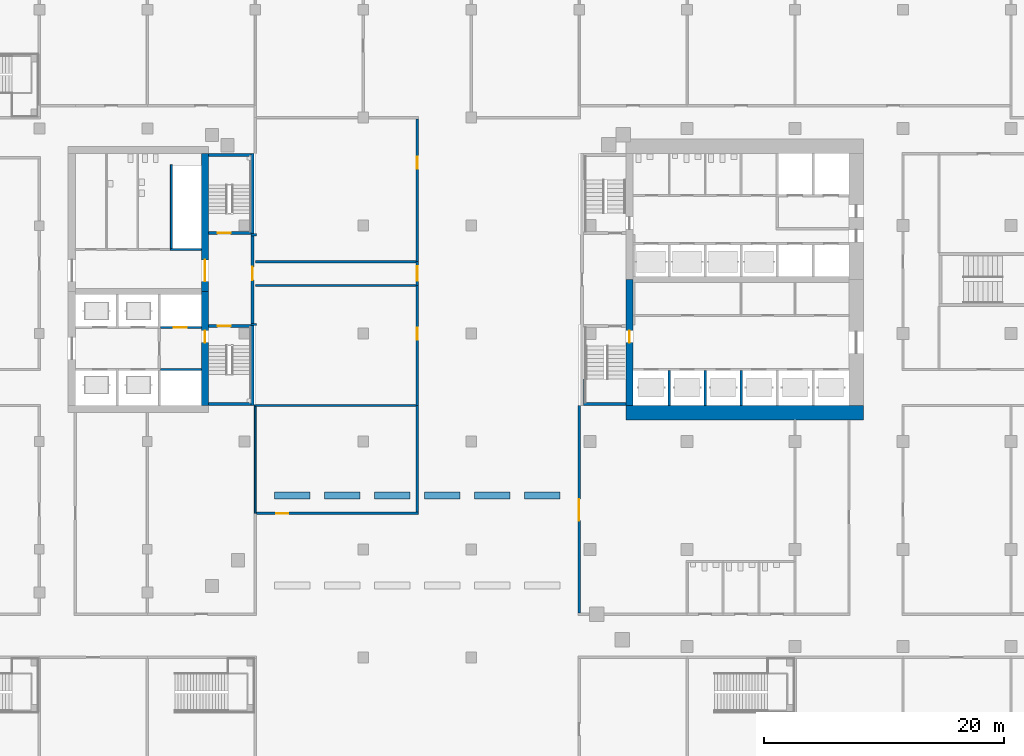
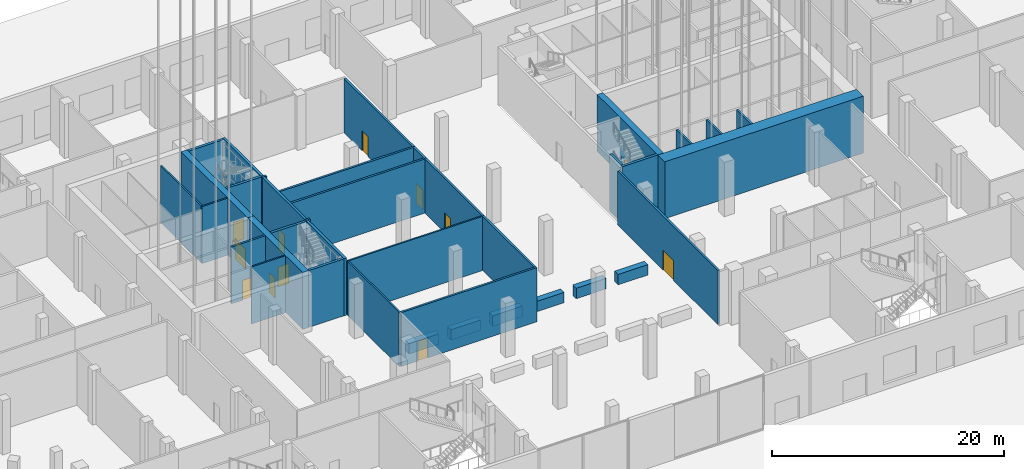
# One storey, part 37 of 55: 38 walls, 12 doors, 12 openings.
"""IFC4 building model written with IfcOpenShell, lengths in metres."""

from ifc_helpers import new_model, si_unit, direction, frame, frame_2d, origin, place, context, subcontext, project, spatial, rectangle, extrude, material, layer, layer_set, type_object, element, fill, save


model = new_model("IFC4")

# Units and contexts
model_context = context("Model", 3, precision=1e-05, world=origin(), true_north=direction((0.0, 1.0)))
body_context = subcontext(model_context, "Body", "Model", "MODEL_VIEW")
ifc_project = project(units=[si_unit("LENGTHUNIT", "METRE"), si_unit("AREAUNIT", "SQUARE_METRE"), si_unit("VOLUMEUNIT", "CUBIC_METRE"), si_unit("PLANEANGLEUNIT", "RADIAN"), si_unit("MASSUNIT", "GRAM", prefix="KILO")], contexts=[model_context])

# Site, building, storey
site_placement = place(None, origin())
site = spatial("IfcSite", under=ifc_project, at=site_placement, CompositionType="ELEMENT")
building_placement = place(site_placement, origin())
building = spatial("IfcBuilding", under=site, at=building_placement, Name="Cinnabar Reach Civic Tower", CompositionType="ELEMENT")
storey_placement = place(building_placement, origin())
storey = spatial("IfcBuildingStorey", under=building, at=storey_placement, Name="L00", CompositionType="ELEMENT", Elevation=0.0)

# Wall
ifc_material_1 = material(Name="Concrete C70", Category="concrete")
ifc_layer_1 = layer(ifc_material_1, 1.2)
ifc_layer_set_1 = layer_set([ifc_layer_1], Name="Core wall 1200 EI 180")
wall_type_1 = type_object("IfcWallType", Name="Core wall 1200 EI 180", PredefinedType="SOLIDWALL", material=ifc_layer_set_1)
wall_1_placement = place(storey_placement, frame((3.9, 20.4, 0.0), z_axis=(0.0, 0.0, 1.0), x_axis=(1.0, 0.0, 0.0)))
element("IfcWall", 1, at=wall_1_placement, inside=storey, type_object=wall_type_1, Name="Core wall T1 L00 S", PredefinedType="SOLIDWALL", context=body_context, shape_type="SweptSolid", body=[
    extrude(rectangle(XDim=19.8, YDim=1.2, at=frame_2d((9.9, 0.0))), origin(), (0.0, 0.0, 1.0), 6.0),
])

# Wall, opening, door
ifc_layer_2 = layer(ifc_material_1, 0.6)
ifc_layer_set_2 = layer_set([ifc_layer_2], Name="Core wall 600 EI 180")
wall_type_2 = type_object("IfcWallType", Name="Core wall 600 EI 180", PredefinedType="SOLIDWALL", material=ifc_layer_set_2)
wall_2_placement = place(storey_placement, frame((4.2, 31.5, 0.0), z_axis=(0.0, 0.0, 1.0), x_axis=(0.0, -1.0, 0.0)))
wall_2 = element("IfcWall", 2, at=wall_2_placement, inside=storey, type_object=wall_type_2, Name="Core wall T1 L00 W2", PredefinedType="SOLIDWALL", context=body_context, shape_type="SweptSolid", body=[
    extrude(rectangle(XDim=10.5, YDim=0.6, at=frame_2d((5.25, 0.0))), origin(), (0.0, 0.0, 1.0), 6.0),
])
opening_1_placement = place(wall_2_placement, frame((4.25, 0.0, 0.0)))
opening_1 = element("IfcOpeningElement", 3, at=opening_1_placement, cuts=wall_2, Name="Opening D3058", PredefinedType="OPENING", context=body_context, shape_type="SweptSolid", body=[
    extrude(rectangle(XDim=1.0, YDim=2.1, at=frame_2d((0.5, 1.05))), frame((0.0, 0.31, 0.0), z_axis=(0.0, -1.0, 0.0), x_axis=(1.0, 0.0, 0.0)), (0.0, 0.0, 1.0), 0.62),
])
ifc_material_2 = material(Name="Timber door leaf in steel frame", Category="steel")
door_type_1 = type_object("IfcDoorType", Name="Stair door 1000 x 2100 T1", OperationType="SINGLE_SWING_LEFT", PredefinedType="DOOR", material=ifc_material_2)
door_1_placement = place(opening_1_placement, frame((1.0, 0.0, 0.0), z_axis=(0.0, 0.0, 1.0), x_axis=(-1.0, 0.0, 0.0)))
door_1 = element("IfcDoor", 4, at=door_1_placement, inside=storey, type_object=door_type_1, Name="Door D3058", OperationType="SINGLE_SWING_RIGHT", OverallHeight=2.1, OverallWidth=1.0, PredefinedType="DOOR", context=body_context, shape_type="SweptSolid", body=[
    extrude(rectangle(XDim=1.0, YDim=2.1, at=frame_2d((0.5, 1.05))), frame((0.0, 0.025, 0.0), z_axis=(0.0, -1.0, 0.0), x_axis=(1.0, 0.0, 0.0)), (0.0, 0.0, 1.0), 0.05),
])
fill(opening_1, door_1)

wall_3_placement = place(storey_placement, frame((-31.2, 21.0, 0.0), z_axis=(0.0, 0.0, 1.0), x_axis=(0.0, 1.0, 0.0)))
wall_3 = element("IfcWall", 5, at=wall_3_placement, inside=storey, type_object=wall_type_2, Name="Core wall T2 L00 E", PredefinedType="SOLIDWALL", context=body_context, shape_type="SweptSolid", body=[
    extrude(rectangle(XDim=9.5, YDim=0.6, at=frame_2d((4.75, 0.0))), origin(), (0.0, 0.0, 1.0), 6.0),
])
opening_2_placement = place(wall_3_placement, frame((5.25, 0.0, 0.0)))
opening_2 = element("IfcOpeningElement", 6, at=opening_2_placement, cuts=wall_3, Name="Opening D6024", PredefinedType="OPENING", context=body_context, shape_type="SweptSolid", body=[
    extrude(rectangle(XDim=1.0, YDim=2.1, at=frame_2d((0.5, 1.05))), frame((0.0, 0.31, 0.0), z_axis=(0.0, -1.0, 0.0), x_axis=(1.0, 0.0, 0.0)), (0.0, 0.0, 1.0), 0.62),
])
ifc_material_3 = material(Name="Steel fire door", Category="steel")
door_type_2 = type_object("IfcDoorType", Name="T2 Firefighting lobby door 1000", OperationType="SINGLE_SWING_LEFT", PredefinedType="DOOR", material=ifc_material_3)
door_2_placement = place(opening_2_placement, frame((1.0, 0.0, 0.0), z_axis=(0.0, 0.0, 1.0), x_axis=(-1.0, 0.0, 0.0)))
door_2 = element("IfcDoor", 7, at=door_2_placement, inside=storey, type_object=door_type_2, Name="T2 Firefighting lobby door D6024", OperationType="SINGLE_SWING_LEFT", OverallHeight=2.1, OverallWidth=1.0, PredefinedType="DOOR", context=body_context, shape_type="SweptSolid", body=[
    extrude(rectangle(XDim=1.0, YDim=2.1, at=frame_2d((0.5, 1.05))), frame((0.0, 0.025, 0.0), z_axis=(0.0, -1.0, 0.0), x_axis=(1.0, 0.0, 0.0)), (0.0, 0.0, 1.0), 0.05),
])
fill(opening_2, door_2)

wall_4_placement = place(storey_placement, frame((-31.2, 30.5, 0.0), z_axis=(0.0, 0.0, 1.0), x_axis=(0.0, 1.0, 0.0)))
wall_4 = element("IfcWall", 8, at=wall_4_placement, inside=storey, type_object=wall_type_2, Name="Core wall T2 L00 E2", PredefinedType="SOLIDWALL", context=body_context, shape_type="SweptSolid", body=[
    extrude(rectangle(XDim=11.5, YDim=0.6, at=frame_2d((5.75, 0.0))), origin(), (0.0, 0.0, 1.0), 6.0),
])
opening_3_placement = place(wall_4_placement, frame((0.85, 0.0, 0.0)))
opening_3 = element("IfcOpeningElement", 9, at=opening_3_placement, cuts=wall_4, Name="Opening D6027", PredefinedType="OPENING", context=body_context, shape_type="SweptSolid", body=[
    extrude(rectangle(XDim=1.8, YDim=2.1, at=frame_2d((0.9, 1.05))), frame((0.0, 0.31, 0.0), z_axis=(0.0, -1.0, 0.0), x_axis=(1.0, 0.0, 0.0)), (0.0, 0.0, 1.0), 0.62),
])
door_type_3 = type_object("IfcDoorType", Name="T2 Double door 1800", OperationType="DOUBLE_DOOR_SINGLE_SWING", PredefinedType="DOOR", material=ifc_material_3)
door_3_placement = place(opening_3_placement, origin())
door_3 = element("IfcDoor", 10, at=door_3_placement, inside=storey, type_object=door_type_3, Name="T2 Double door D6027", OperationType="DOUBLE_DOOR_SINGLE_SWING", OverallHeight=2.1, OverallWidth=1.8, PredefinedType="DOOR", context=body_context, shape_type="SweptSolid", body=[
    extrude(rectangle(XDim=1.8, YDim=2.1, at=frame_2d((0.9, 1.05))), frame((0.0, 0.025, 0.0), z_axis=(0.0, -1.0, 0.0), x_axis=(1.0, 0.0, 0.0)), (0.0, 0.0, 1.0), 0.05),
])
fill(opening_3, door_3)

# Walls
ifc_material_4 = material(Name="Blockwork", Category="masonry")
ifc_layer_3 = layer(ifc_material_4, 0.2)
ifc_layer_set_3 = layer_set([ifc_layer_3], Name="Lift shaft wall 200 T1")
wall_type_3 = type_object("IfcWallType", Name="Lift shaft wall 200 T1", PredefinedType="PARTITIONING", material=ifc_layer_set_3)
for number, where, z_axis, x_axis, name in (
    (11, (7.5, 21.0, 0.0), (0.0, 0.0, 1.0), (0.0, 1.0, 0.0), "Lift shaft wall 9"),
    (12, (10.5, 21.0, 0.0), (0.0, 0.0, 1.0), (0.0, 1.0, 0.0), "Lift shaft wall 11"),
    (13, (13.5, 21.0, 0.0), (0.0, 0.0, 1.0), (0.0, 1.0, 0.0), "Lift shaft wall 13"),
):
    element("IfcWall", number, at=place(storey_placement, frame(where, z_axis=z_axis, x_axis=x_axis)), inside=storey, type_object=wall_type_3, Name=name, PredefinedType="PARTITIONING", context=body_context, shape_type="SweptSolid", body=[
        extrude(rectangle(XDim=2.9, YDim=0.2, at=frame_2d((1.45, 0.0))), origin(), (0.0, 0.0, 1.0), 5.7),
    ])

# Wall, opening, door
ifc_material_5 = material(Name="Concrete blockwork", Category="masonry")
ifc_layer_4 = layer(ifc_material_5, 0.2)
ifc_layer_set_4 = layer_set([ifc_layer_4], Name="Podium masonry corridor wall 200 EI 120")
wall_type_4 = type_object("IfcWallType", Name="Podium masonry corridor wall 200 EI 120", PredefinedType="PARTITIONING", material=ifc_layer_set_4)
wall_5_placement = place(storey_placement, frame((-26.9, 12.0, 0.0), z_axis=(0.0, 0.0, 1.0), x_axis=(1.0, 0.0, 0.0)))
wall_5 = element("IfcWall", 14, at=wall_5_placement, inside=storey, type_object=wall_type_4, Name="Wall L00 52", PredefinedType="PARTITIONING", context=body_context, shape_type="SweptSolid", body=[
    extrude(rectangle(XDim=13.5, YDim=0.2, at=frame_2d((6.75, 0.0))), origin(), (0.0, 0.0, 1.0), 5.7),
])
opening_4_placement = place(wall_5_placement, frame((1.65, 0.0, 0.0)))
opening_4 = element("IfcOpeningElement", 15, at=opening_4_placement, cuts=wall_5, Name="Opening D1001", PredefinedType="OPENING", context=body_context, shape_type="SweptSolid", body=[
    extrude(rectangle(XDim=1.0, YDim=2.1, at=frame_2d((0.5, 1.05))), frame((0.0, 0.11, 0.0), z_axis=(0.0, -1.0, 0.0), x_axis=(1.0, 0.0, 0.0)), (0.0, 0.0, 1.0), 0.22),
])
ifc_material_6 = material(Name="Painted steel door leaf", Category="steel")
door_type_4 = type_object("IfcDoorType", Name="Podium single door 1000x2100", OperationType="SINGLE_SWING_LEFT", PredefinedType="DOOR", material=ifc_material_6)
door_4_placement = place(opening_4_placement, origin())
door_4 = element("IfcDoor", 16, at=door_4_placement, inside=storey, type_object=door_type_4, Name="Door D1001", OperationType="SINGLE_SWING_RIGHT", OverallHeight=2.1, OverallWidth=1.0, PredefinedType="DOOR", context=body_context, shape_type="SweptSolid", body=[
    extrude(rectangle(XDim=1.0, YDim=2.1, at=frame_2d((0.5, 1.05))), frame((0.0, 0.025, 0.0), z_axis=(0.0, -1.0, 0.0), x_axis=(1.0, 0.0, 0.0)), (0.0, 0.0, 1.0), 0.05),
])
fill(opening_4, door_4)

# Wall
wall_6_placement = place(storey_placement, frame((-13.5, 12.1, 0.0), z_axis=(0.0, 0.0, 1.0), x_axis=(0.0, 1.0, 0.0)))
element("IfcWall", 17, at=wall_6_placement, inside=storey, type_object=wall_type_4, Name="Wall L00 53", PredefinedType="PARTITIONING", context=body_context, shape_type="SweptSolid", body=[
    extrude(rectangle(XDim=8.9, YDim=0.2, at=frame_2d((4.45, 0.0))), origin(), (0.0, 0.0, 1.0), 5.7),
])

# Wall, opening, door
wall_7_placement = place(storey_placement, frame((0.0, 3.7, 0.0), z_axis=(0.0, 0.0, 1.0), x_axis=(0.0, 1.0, 0.0)))
wall_7 = element("IfcWall", 18, at=wall_7_placement, inside=storey, type_object=wall_type_4, Name="Wall L00 57", PredefinedType="PARTITIONING", context=body_context, shape_type="SweptSolid", body=[
    extrude(rectangle(XDim=17.3, YDim=0.2, at=frame_2d((8.65, 0.0))), origin(), (0.0, 0.0, 1.0), 5.7),
])
opening_5_placement = place(wall_7_placement, frame((7.7, 0.0, 0.0)))
opening_5 = element("IfcOpeningElement", 19, at=opening_5_placement, cuts=wall_7, Name="Opening D1017", PredefinedType="OPENING", context=body_context, shape_type="SweptSolid", body=[
    extrude(rectangle(XDim=1.8, YDim=2.1, at=frame_2d((0.9, 1.05))), frame((0.0, 0.11, 0.0), z_axis=(0.0, -1.0, 0.0), x_axis=(1.0, 0.0, 0.0)), (0.0, 0.0, 1.0), 0.22),
])
door_type_5 = type_object("IfcDoorType", Name="Podium double door 1800x2100", OperationType="DOUBLE_DOOR_SINGLE_SWING", PredefinedType="DOOR", material=ifc_material_6)
door_5_placement = place(opening_5_placement, frame((1.8, 0.0, 0.0), z_axis=(0.0, 0.0, 1.0), x_axis=(-1.0, 0.0, 0.0)))
door_5 = element("IfcDoor", 20, at=door_5_placement, inside=storey, type_object=door_type_5, Name="Door D1017", OperationType="DOUBLE_DOOR_SINGLE_SWING", OverallHeight=2.1, OverallWidth=1.8, PredefinedType="DOOR", context=body_context, shape_type="SweptSolid", body=[
    extrude(rectangle(XDim=1.8, YDim=2.1, at=frame_2d((0.9, 1.05))), frame((0.0, 0.025, 0.0), z_axis=(0.0, -1.0, 0.0), x_axis=(1.0, 0.0, 0.0)), (0.0, 0.0, 1.0), 0.05),
])
fill(opening_5, door_5)

wall_8_placement = place(storey_placement, frame((-13.5, 21.0, 0.0), z_axis=(0.0, 0.0, 1.0), x_axis=(0.0, 1.0, 0.0)))
wall_8 = element("IfcWall", 21, at=wall_8_placement, inside=storey, type_object=wall_type_4, Name="Wall L00 70", PredefinedType="PARTITIONING", context=body_context, shape_type="SweptSolid", body=[
    extrude(rectangle(XDim=10.0, YDim=0.2, at=frame_2d((5.0, 0.0))), origin(), (0.0, 0.0, 1.0), 5.7),
])
opening_6_placement = place(wall_8_placement, frame((5.5, 0.0, 0.0)))
opening_6 = element("IfcOpeningElement", 22, at=opening_6_placement, cuts=wall_8, Name="Opening D1004", PredefinedType="OPENING", context=body_context, shape_type="SweptSolid", body=[
    extrude(rectangle(XDim=1.0, YDim=2.1, at=frame_2d((0.5, 1.05))), frame((0.0, 0.11, 0.0), z_axis=(0.0, -1.0, 0.0), x_axis=(1.0, 0.0, 0.0)), (0.0, 0.0, 1.0), 0.22),
])
door_6_placement = place(opening_6_placement, origin())
door_6 = element("IfcDoor", 23, at=door_6_placement, inside=storey, type_object=door_type_4, Name="Door D1004", OperationType="SINGLE_SWING_RIGHT", OverallHeight=2.1, OverallWidth=1.0, PredefinedType="DOOR", context=body_context, shape_type="SweptSolid", body=[
    extrude(rectangle(XDim=1.0, YDim=2.1, at=frame_2d((0.5, 1.05))), frame((0.0, 0.025, 0.0), z_axis=(0.0, -1.0, 0.0), x_axis=(1.0, 0.0, 0.0)), (0.0, 0.0, 1.0), 0.05),
])
fill(opening_6, door_6)

wall_9_placement = place(storey_placement, frame((-13.5, 33.0, 0.0), z_axis=(0.0, 0.0, 1.0), x_axis=(0.0, 1.0, 0.0)))
wall_9 = element("IfcWall", 24, at=wall_9_placement, inside=storey, type_object=wall_type_4, Name="Wall L00 73", PredefinedType="PARTITIONING", context=body_context, shape_type="SweptSolid", body=[
    extrude(rectangle(XDim=11.9, YDim=0.2, at=frame_2d((5.95, 0.0))), origin(), (0.0, 0.0, 1.0), 5.7),
])
opening_7_placement = place(wall_9_placement, frame((7.75, 0.0, 0.0)))
opening_7 = element("IfcOpeningElement", 25, at=opening_7_placement, cuts=wall_9, Name="Opening D1005", PredefinedType="OPENING", context=body_context, shape_type="SweptSolid", body=[
    extrude(rectangle(XDim=1.0, YDim=2.1, at=frame_2d((0.5, 1.05))), frame((0.0, 0.11, 0.0), z_axis=(0.0, -1.0, 0.0), x_axis=(1.0, 0.0, 0.0)), (0.0, 0.0, 1.0), 0.22),
])
door_7_placement = place(opening_7_placement, origin())
door_7 = element("IfcDoor", 26, at=door_7_placement, inside=storey, type_object=door_type_4, Name="Door D1005", OperationType="SINGLE_SWING_LEFT", OverallHeight=2.1, OverallWidth=1.0, PredefinedType="DOOR", context=body_context, shape_type="SweptSolid", body=[
    extrude(rectangle(XDim=1.0, YDim=2.1, at=frame_2d((0.5, 1.05))), frame((0.0, 0.025, 0.0), z_axis=(0.0, -1.0, 0.0), x_axis=(1.0, 0.0, 0.0)), (0.0, 0.0, 1.0), 0.05),
])
fill(opening_7, door_7)

# Walls
ifc_material_7 = material(Name="Gypsum board on steel studs", Category="steel")
ifc_layer_5 = layer(ifc_material_7, 0.15)
ifc_layer_set_5 = layer_set([ifc_layer_5], Name="Podium partition wall 150 EI 90")
wall_type_5 = type_object("IfcWallType", Name="Podium partition wall 150 EI 90", PredefinedType="PARTITIONING", material=ifc_layer_set_5)
wall_10_placement = place(storey_placement, frame((-27.075, 21.0, 0.0), z_axis=(0.0, 0.0, 1.0), x_axis=(1.0, 0.0, 0.0)))
element("IfcWall", 27, at=wall_10_placement, inside=storey, type_object=wall_type_5, Name="Wall L00 54", PredefinedType="PARTITIONING", context=body_context, shape_type="SweptSolid", body=[
    extrude(rectangle(XDim=13.475, YDim=0.15, at=frame_2d((6.7375, 0.0))), origin(), (0.0, 0.0, 1.0), 5.7),
])
wall_11_placement = place(storey_placement, frame((-27.0, 12.0, 0.0), z_axis=(0.0, 0.0, 1.0), x_axis=(0.0, 1.0, 0.0)))
element("IfcWall", 28, at=wall_11_placement, inside=storey, type_object=wall_type_5, Name="Wall L00 55", PredefinedType="PARTITIONING", context=body_context, shape_type="SweptSolid", body=[
    extrude(rectangle(XDim=8.925, YDim=0.15, at=frame_2d((4.4625, 0.0))), origin(), (0.0, 0.0, 1.0), 5.7),
])
ifc_material_8 = material(Name="Timber veneer on steel frame", Category="steel")
ifc_layer_6 = layer(ifc_material_8, 0.6)
ifc_layer_set_6 = layer_set([ifc_layer_6], Name="Podium service counter 600")
wall_type_6 = type_object("IfcWallType", Name="Podium service counter 600", PredefinedType="MOVABLE", material=ifc_layer_set_6)
wall_12_placement = place(storey_placement, frame((-25.4, 13.5, 0.0), z_axis=(0.0, 0.0, 1.0), x_axis=(1.0, 0.0, 0.0)))
element("IfcWall", 29, at=wall_12_placement, inside=storey, type_object=wall_type_6, Name="Service counter B1", PredefinedType="MOVABLE", context=body_context, shape_type="SweptSolid", body=[
    extrude(rectangle(XDim=2.9667, YDim=0.6, at=frame_2d((1.4833, 0.0))), origin(), (0.0, 0.0, 1.0), 1.1),
])
wall_13_placement = place(storey_placement, frame((-21.2333, 13.5, 0.0), z_axis=(0.0, 0.0, 1.0), x_axis=(1.0, 0.0, 0.0)))
element("IfcWall", 30, at=wall_13_placement, inside=storey, type_object=wall_type_6, Name="Service counter B2", PredefinedType="MOVABLE", context=body_context, shape_type="SweptSolid", body=[
    extrude(rectangle(XDim=2.9666, YDim=0.6, at=frame_2d((1.4833, 0.0))), origin(), (0.0, 0.0, 1.0), 1.1),
])
for number, where, z_axis, x_axis, name in (
    (31, (-17.0667, 13.5, 0.0), (0.0, 0.0, 1.0), (1.0, 0.0, 0.0), "Service counter B3"),
    (32, (-12.9, 13.5, 0.0), (0.0, 0.0, 1.0), (1.0, 0.0, 0.0), "Service counter B4"),
):
    element("IfcWall", number, at=place(storey_placement, frame(where, z_axis=z_axis, x_axis=x_axis)), inside=storey, type_object=wall_type_6, Name=name, PredefinedType="MOVABLE", context=body_context, shape_type="SweptSolid", body=[
        extrude(rectangle(XDim=2.9667, YDim=0.6, at=frame_2d((1.4833, 0.0))), origin(), (0.0, 0.0, 1.0), 1.1),
    ])
wall_14_placement = place(storey_placement, frame((-8.7333, 13.5, 0.0), z_axis=(0.0, 0.0, 1.0), x_axis=(1.0, 0.0, 0.0)))
element("IfcWall", 33, at=wall_14_placement, inside=storey, type_object=wall_type_6, Name="Service counter B5", PredefinedType="MOVABLE", context=body_context, shape_type="SweptSolid", body=[
    extrude(rectangle(XDim=2.9666, YDim=0.6, at=frame_2d((1.4833, 0.0))), origin(), (0.0, 0.0, 1.0), 1.1),
])
wall_15_placement = place(storey_placement, frame((-4.5667, 13.5, 0.0), z_axis=(0.0, 0.0, 1.0), x_axis=(1.0, 0.0, 0.0)))
element("IfcWall", 34, at=wall_15_placement, inside=storey, type_object=wall_type_6, Name="Service counter B6", PredefinedType="MOVABLE", context=body_context, shape_type="SweptSolid", body=[
    extrude(rectangle(XDim=2.9667, YDim=0.6, at=frame_2d((1.4833, 0.0))), origin(), (0.0, 0.0, 1.0), 1.1),
])
ifc_material_9 = material(Name="Concrete C40", Category="concrete")
ifc_layer_7 = layer(ifc_material_9, 0.2)
ifc_layer_set_7 = layer_set([ifc_layer_7], Name="Podium stair shaft wall 200 EI 120")
wall_type_7 = type_object("IfcWallType", Name="Podium stair shaft wall 200 EI 120", PredefinedType="SOLIDWALL", material=ifc_layer_set_7)
for number, where, z_axis, x_axis, name in (
    (35, (-27.0, 31.0, 0.0), (0.0, 0.0, 1.0), (1.0, 0.0, 0.0), "Wall L00 71"),
    (36, (-27.0, 33.0, 0.0), (0.0, 0.0, 1.0), (1.0, 0.0, 0.0), "Wall L00 75"),
):
    element("IfcWall", number, at=place(storey_placement, frame(where, z_axis=z_axis, x_axis=x_axis)), inside=storey, type_object=wall_type_7, Name=name, PredefinedType="SOLIDWALL", context=body_context, shape_type="SweptSolid", body=[
        extrude(rectangle(XDim=13.4, YDim=0.2, at=frame_2d((6.7, 0.0))), origin(), (0.0, 0.0, 1.0), 5.7),
    ])

# Wall, opening, door
wall_16_placement = place(storey_placement, frame((-13.5, 31.0, 0.0), z_axis=(0.0, 0.0, 1.0), x_axis=(0.0, 1.0, 0.0)))
wall_16 = element("IfcWall", 37, at=wall_16_placement, inside=storey, type_object=wall_type_7, Name="Wall L00 76", PredefinedType="SOLIDWALL", context=body_context, shape_type="SweptSolid", body=[
    extrude(rectangle(XDim=2.0, YDim=0.2, at=frame_2d((1.0, 0.0))), origin(), (0.0, 0.0, 1.0), 5.7),
])
opening_8_placement = place(wall_16_placement, frame((0.4, 0.0, 0.0)))
opening_8 = element("IfcOpeningElement", 38, at=opening_8_placement, cuts=wall_16, Name="Opening D1338", PredefinedType="OPENING", context=body_context, shape_type="SweptSolid", body=[
    extrude(rectangle(XDim=1.2, YDim=2.1, at=frame_2d((0.6, 1.05))), frame((0.0, 0.11, 0.0), z_axis=(0.0, -1.0, 0.0), x_axis=(1.0, 0.0, 0.0)), (0.0, 0.0, 1.0), 0.22),
])
door_type_6 = type_object("IfcDoorType", Name="Podium single door 1200x2100", OperationType="SINGLE_SWING_LEFT", PredefinedType="DOOR", material=ifc_material_6)
door_8_placement = place(opening_8_placement, frame((1.2, 0.0, 0.0), z_axis=(0.0, 0.0, 1.0), x_axis=(-1.0, 0.0, 0.0)))
door_8 = element("IfcDoor", 39, at=door_8_placement, inside=storey, type_object=door_type_6, Name="Door D1338", OperationType="SINGLE_SWING_RIGHT", OverallHeight=2.1, OverallWidth=1.2, PredefinedType="DOOR", context=body_context, shape_type="SweptSolid", body=[
    extrude(rectangle(XDim=1.2, YDim=2.1, at=frame_2d((0.6, 1.05))), frame((0.0, 0.025, 0.0), z_axis=(0.0, -1.0, 0.0), x_axis=(1.0, 0.0, 0.0)), (0.0, 0.0, 1.0), 0.05),
])
fill(opening_8, door_8)

# Walls
ifc_material_10 = material(Name="Concrete C60", Category="concrete")
ifc_layer_8 = layer(ifc_material_10, 0.25)
ifc_layer_set_8 = layer_set([ifc_layer_8], Name="Stair shaft wall 250 EI 120")
wall_type_8 = type_object("IfcWallType", Name="Stair shaft wall 250 EI 120", PredefinedType="SOLIDWALL", material=ifc_layer_set_8)
for number, where, z_axis, x_axis, name in (
    (40, (0.36, 21.125, 0.0), (0.0, 0.0, 1.0), (1.0, 0.0, 0.0), "Stair shaft wall T1-S1 L00"),
    (41, (-30.9, 21.125, 0.0), (0.0, 0.0, 1.0), (1.0, 0.0, 0.0), "Stair shaft wall T2-S1 L00"),
):
    element("IfcWall", number, at=place(storey_placement, frame(where, z_axis=z_axis, x_axis=x_axis)), inside=storey, type_object=wall_type_8, Name=name, PredefinedType="SOLIDWALL", context=body_context, shape_type="SweptSolid", body=[
        extrude(rectangle(XDim=3.54, YDim=0.25, at=frame_2d((1.77, 0.0))), origin(), (0.0, 0.0, 1.0), 6.0),
    ])

# Wall, opening, door
wall_17_placement = place(storey_placement, frame((-27.36, 27.625, 0.0), z_axis=(0.0, 0.0, 1.0), x_axis=(-1.0, 0.0, 0.0)))
wall_17 = element("IfcWall", 42, at=wall_17_placement, inside=storey, type_object=wall_type_8, Name="Stair shaft wall T2-S1 L00", PredefinedType="SOLIDWALL", context=body_context, shape_type="SweptSolid", body=[
    extrude(rectangle(XDim=3.54, YDim=0.25, at=frame_2d((1.77, 0.0))), origin(), (0.0, 0.0, 1.0), 6.0),
])
opening_9_placement = place(wall_17_placement, frame((1.69, 0.0, 0.0)))
opening_9 = element("IfcOpeningElement", 43, at=opening_9_placement, cuts=wall_17, Name="Opening D6025", PredefinedType="OPENING", context=body_context, shape_type="SweptSolid", body=[
    extrude(rectangle(XDim=1.1, YDim=2.1, at=frame_2d((0.55, 1.05))), frame((0.0, 0.135, 0.0), z_axis=(0.0, -1.0, 0.0), x_axis=(1.0, 0.0, 0.0)), (0.0, 0.0, 1.0), 0.27),
])
door_type_7 = type_object("IfcDoorType", Name="T2 Stair door 1100", OperationType="SINGLE_SWING_LEFT", PredefinedType="DOOR", material=ifc_material_3)
door_9_placement = place(opening_9_placement, origin())
door_9 = element("IfcDoor", 44, at=door_9_placement, inside=storey, type_object=door_type_7, Name="T2 Stair door D6025", OperationType="SINGLE_SWING_RIGHT", OverallHeight=2.1, OverallWidth=1.1, PredefinedType="DOOR", context=body_context, shape_type="SweptSolid", body=[
    extrude(rectangle(XDim=1.1, YDim=2.1, at=frame_2d((0.55, 1.05))), frame((0.0, 0.025, 0.0), z_axis=(0.0, -1.0, 0.0), x_axis=(1.0, 0.0, 0.0)), (0.0, 0.0, 1.0), 0.05),
])
fill(opening_9, door_9)

wall_18_placement = place(storey_placement, frame((-30.9, 35.375, 0.0), z_axis=(0.0, 0.0, 1.0), x_axis=(1.0, 0.0, 0.0)))
wall_18 = element("IfcWall", 45, at=wall_18_placement, inside=storey, type_object=wall_type_8, Name="Stair shaft wall T2-S2 L00", PredefinedType="SOLIDWALL", context=body_context, shape_type="SweptSolid", body=[
    extrude(rectangle(XDim=3.54, YDim=0.25, at=frame_2d((1.77, 0.0))), origin(), (0.0, 0.0, 1.0), 6.0),
])
opening_10_placement = place(wall_18_placement, frame((0.75, 0.0, 0.0)))
opening_10 = element("IfcOpeningElement", 46, at=opening_10_placement, cuts=wall_18, Name="Opening D6026", PredefinedType="OPENING", context=body_context, shape_type="SweptSolid", body=[
    extrude(rectangle(XDim=1.1, YDim=2.1, at=frame_2d((0.55, 1.05))), frame((0.0, 0.135, 0.0), z_axis=(0.0, -1.0, 0.0), x_axis=(1.0, 0.0, 0.0)), (0.0, 0.0, 1.0), 0.27),
])
door_10_placement = place(opening_10_placement, origin())
door_10 = element("IfcDoor", 47, at=door_10_placement, inside=storey, type_object=door_type_7, Name="T2 Stair door D6026", OperationType="SINGLE_SWING_LEFT", OverallHeight=2.1, OverallWidth=1.1, PredefinedType="DOOR", context=body_context, shape_type="SweptSolid", body=[
    extrude(rectangle(XDim=1.1, YDim=2.1, at=frame_2d((0.55, 1.05))), frame((0.0, 0.025, 0.0), z_axis=(0.0, -1.0, 0.0), x_axis=(1.0, 0.0, 0.0)), (0.0, 0.0, 1.0), 0.05),
])
fill(opening_10, door_10)

# Walls
wall_19_placement = place(storey_placement, frame((-27.36, 41.875, 0.0), z_axis=(0.0, 0.0, 1.0), x_axis=(-1.0, 0.0, 0.0)))
element("IfcWall", 48, at=wall_19_placement, inside=storey, type_object=wall_type_8, Name="Stair shaft wall T2-S2 L00", PredefinedType="SOLIDWALL", context=body_context, shape_type="SweptSolid", body=[
    extrude(rectangle(XDim=3.54, YDim=0.25, at=frame_2d((1.77, 0.0))), origin(), (0.0, 0.0, 1.0), 6.0),
])
wall_20_placement = place(storey_placement, frame((-27.235, 21.0, 0.0), z_axis=(0.0, 0.0, 1.0), x_axis=(0.0, 1.0, 0.0)))
element("IfcWall", 49, at=wall_20_placement, inside=storey, type_object=wall_type_8, Name="Stair shaft wall T2-STRIP L00", PredefinedType="SOLIDWALL", context=body_context, shape_type="SweptSolid", body=[
    extrude(rectangle(XDim=6.65, YDim=0.25, at=frame_2d((3.325, 0.0))), origin(), (0.0, 0.0, 1.0), 6.0),
])

# Wall, opening, door
wall_21_placement = place(storey_placement, frame((-27.235, 27.85, 0.0), z_axis=(0.0, 0.0, 1.0), x_axis=(0.0, 1.0, 0.0)))
wall_21 = element("IfcWall", 50, at=wall_21_placement, inside=storey, type_object=wall_type_8, Name="Stair shaft wall T2-STRIP L00", PredefinedType="SOLIDWALL", context=body_context, shape_type="SweptSolid", body=[
    extrude(rectangle(XDim=7.3, YDim=0.25, at=frame_2d((3.65, 0.0))), origin(), (0.0, 0.0, 1.0), 6.0),
])
opening_11_placement = place(wall_21_placement, frame((3.6, 0.0, 0.0)))
opening_11 = element("IfcOpeningElement", 51, at=opening_11_placement, cuts=wall_21, Name="Opening D7191", PredefinedType="OPENING", context=body_context, shape_type="SweptSolid", body=[
    extrude(rectangle(XDim=1.1, YDim=2.1, at=frame_2d((0.55, 1.05))), frame((0.0, 0.135, 0.0), z_axis=(0.0, -1.0, 0.0), x_axis=(1.0, 0.0, 0.0)), (0.0, 0.0, 1.0), 0.27),
])
door_11_placement = place(opening_11_placement, origin())
door_11 = element("IfcDoor", 52, at=door_11_placement, inside=storey, type_object=door_type_7, Name="T2 Stair door D7191", OperationType="SINGLE_SWING_LEFT", OverallHeight=2.1, OverallWidth=1.1, PredefinedType="DOOR", context=body_context, shape_type="SweptSolid", body=[
    extrude(rectangle(XDim=1.1, YDim=2.1, at=frame_2d((0.55, 1.05))), frame((0.0, 0.025, 0.0), z_axis=(0.0, -1.0, 0.0), x_axis=(1.0, 0.0, 0.0)), (0.0, 0.0, 1.0), 0.05),
])
fill(opening_11, door_11)

# Walls
wall_22_placement = place(storey_placement, frame((-27.235, 35.35, 0.0), z_axis=(0.0, 0.0, 1.0), x_axis=(0.0, 1.0, 0.0)))
element("IfcWall", 53, at=wall_22_placement, inside=storey, type_object=wall_type_8, Name="Stair shaft wall T2-STRIP L00", PredefinedType="SOLIDWALL", context=body_context, shape_type="SweptSolid", body=[
    extrude(rectangle(XDim=6.65, YDim=0.25, at=frame_2d((3.325, 0.0))), origin(), (0.0, 0.0, 1.0), 6.0),
])
ifc_material_11 = material(Name="Concrete C40/50", Category="concrete")
ifc_layer_9 = layer(ifc_material_11, 0.24)
ifc_layer_set_9 = layer_set([ifc_layer_9], Name="T1 landing bearer wall 240")
wall_type_9 = type_object("IfcWallType", Name="T1 landing bearer wall 240", PredefinedType="STANDARD", material=ifc_layer_set_9)
wall_23_placement = place(storey_placement, frame((0.48, 21.25, 0.0), z_axis=(0.0, 0.0, 1.0), x_axis=(0.0, 1.0, 0.0)))
element("IfcWall", 54, at=wall_23_placement, inside=storey, type_object=wall_type_9, Name="T1-S1 landing bearer wall", PredefinedType="STANDARD", context=body_context, shape_type="SweptSolid", body=[
    extrude(rectangle(XDim=1.955, YDim=0.24, at=frame_2d((0.9775, 0.0))), origin(), (0.0, 0.0, 1.0), 6.0),
])
ifc_layer_10 = layer(ifc_material_9, 0.15)
ifc_layer_set_10 = layer_set([ifc_layer_10], Name="T2 Riser wall 150")
wall_type_10 = type_object("IfcWallType", Name="T2 Riser wall 150", PredefinedType="SOLIDWALL", material=ifc_layer_set_10)
wall_24_placement = place(storey_placement, frame((-31.5, 24.0, 0.0), z_axis=(0.0, 0.0, 1.0), x_axis=(-1.0, 0.0, 0.0)))
element("IfcWall", 55, at=wall_24_placement, inside=storey, type_object=wall_type_10, Name="T2 Riser wall L00 013", PredefinedType="SOLIDWALL", context=body_context, shape_type="SweptSolid", body=[
    extrude(rectangle(XDim=3.4, YDim=0.15, at=frame_2d((1.7, 0.0))), origin(), (0.0, 0.0, 1.0), 6.0),
])
wall_25_placement = place(storey_placement, frame((-34.075, 34.0, 0.0), z_axis=(0.0, 0.0, 1.0), x_axis=(1.0, 0.0, 0.0)))
element("IfcWall", 56, at=wall_25_placement, inside=storey, type_object=wall_type_10, Name="T2 Riser wall L00 014", PredefinedType="SOLIDWALL", context=body_context, shape_type="SweptSolid", body=[
    extrude(rectangle(XDim=2.575, YDim=0.15, at=frame_2d((1.2875, 0.0))), origin(), (0.0, 0.0, 1.0), 6.0),
])
wall_26_placement = place(storey_placement, frame((-34.0, 41.075, 0.0), z_axis=(0.0, 0.0, 1.0), x_axis=(0.0, -1.0, 0.0)))
element("IfcWall", 57, at=wall_26_placement, inside=storey, type_object=wall_type_10, Name="T2 Riser wall L00 015", PredefinedType="SOLIDWALL", context=body_context, shape_type="SweptSolid", body=[
    extrude(rectangle(XDim=7.0, YDim=0.15, at=frame_2d((3.5, 0.0))), origin(), (0.0, 0.0, 1.0), 6.0),
])

# Wall, opening, door
ifc_layer_11 = layer(ifc_material_9, 0.2)
ifc_layer_set_11 = layer_set([ifc_layer_11], Name="T2 Shaft wall 200")
wall_type_11 = type_object("IfcWallType", Name="T2 Shaft wall 200", PredefinedType="SOLIDWALL", material=ifc_layer_set_11)
wall_27_placement = place(storey_placement, frame((-34.9, 27.5, 0.0), z_axis=(0.0, 0.0, 1.0), x_axis=(1.0, 0.0, 0.0)))
wall_27 = element("IfcWall", 58, at=wall_27_placement, inside=storey, type_object=wall_type_11, Name="T2 Shaft wall L00 008", PredefinedType="SOLIDWALL", context=body_context, shape_type="SweptSolid", body=[
    extrude(rectangle(XDim=3.4, YDim=0.2, at=frame_2d((1.7, 0.0))), origin(), (0.0, 0.0, 1.0), 6.0),
])
opening_12_placement = place(wall_27_placement, frame((1.1, 0.0, 0.0)))
opening_12 = element("IfcOpeningElement", 59, at=opening_12_placement, cuts=wall_27, Name="Opening D6022", PredefinedType="OPENING", context=body_context, shape_type="SweptSolid", body=[
    extrude(rectangle(XDim=1.1, YDim=2.1, at=frame_2d((0.55, 1.05))), frame((0.0, 0.11, 0.0), z_axis=(0.0, -1.0, 0.0), x_axis=(1.0, 0.0, 0.0)), (0.0, 0.0, 1.0), 0.22),
])
door_type_8 = type_object("IfcDoorType", Name="T2 Firefighting lift landing door 1100", OperationType="SLIDING_TO_LEFT", PredefinedType="DOOR", material=ifc_material_3)
door_12_placement = place(opening_12_placement, origin())
door_12 = element("IfcDoor", 60, at=door_12_placement, inside=storey, type_object=door_type_8, Name="T2 Firefighting lift landing door D6022", OperationType="SLIDING_TO_LEFT", OverallHeight=2.1, OverallWidth=1.1, PredefinedType="DOOR", context=body_context, shape_type="SweptSolid", body=[
    extrude(rectangle(XDim=1.1, YDim=2.1, at=frame_2d((0.55, 1.05))), frame((0.0, 0.025, 0.0), z_axis=(0.0, -1.0, 0.0), x_axis=(1.0, 0.0, 0.0)), (0.0, 0.0, 1.0), 0.05),
])
fill(opening_12, door_12)

# Walls
ifc_layer_12 = layer(ifc_material_9, 0.2)
ifc_layer_set_12 = layer_set([ifc_layer_12], Name="T2 Stair enclosure wall 200")
wall_type_12 = type_object("IfcWallType", Name="T2 Stair enclosure wall 200", PredefinedType="SOLIDWALL", material=ifc_layer_set_12)
for number, where, z_axis, x_axis, name in (
    (61, (-27.36, 27.75, 0.0), (0.0, 0.0, 1.0), (1.0, 0.0, 0.0), "T2 Stair enclosure wall L00 010"),
    (62, (-26.9, 35.25, 0.0), (0.0, 0.0, 1.0), (-1.0, 0.0, 0.0), "T2 Stair enclosure wall L00 011"),
):
    element("IfcWall", number, at=place(storey_placement, frame(where, z_axis=z_axis, x_axis=x_axis)), inside=storey, type_object=wall_type_12, Name=name, PredefinedType="SOLIDWALL", context=body_context, shape_type="SweptSolid", body=[
        extrude(rectangle(XDim=0.46, YDim=0.2, at=frame_2d((0.23, 0.0))), origin(), (0.0, 0.0, 1.0), 6.0),
    ])

save(model, "model.ifc")
